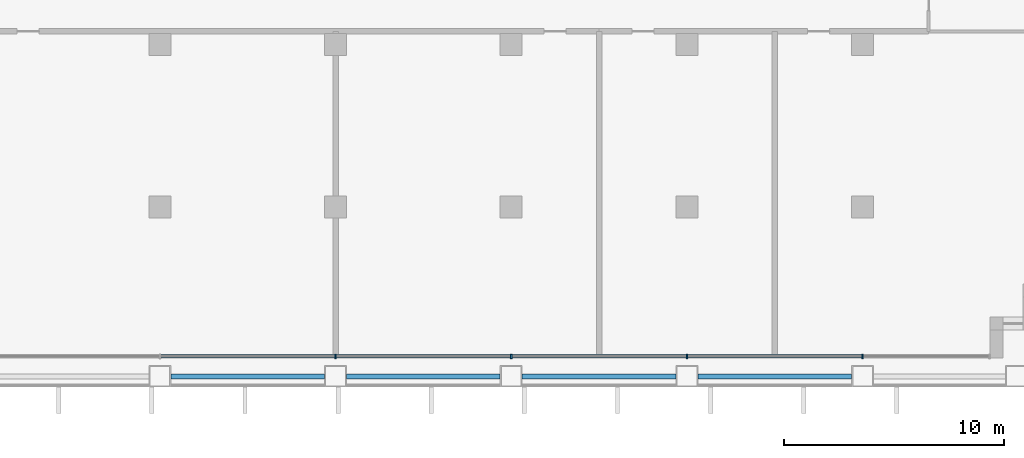
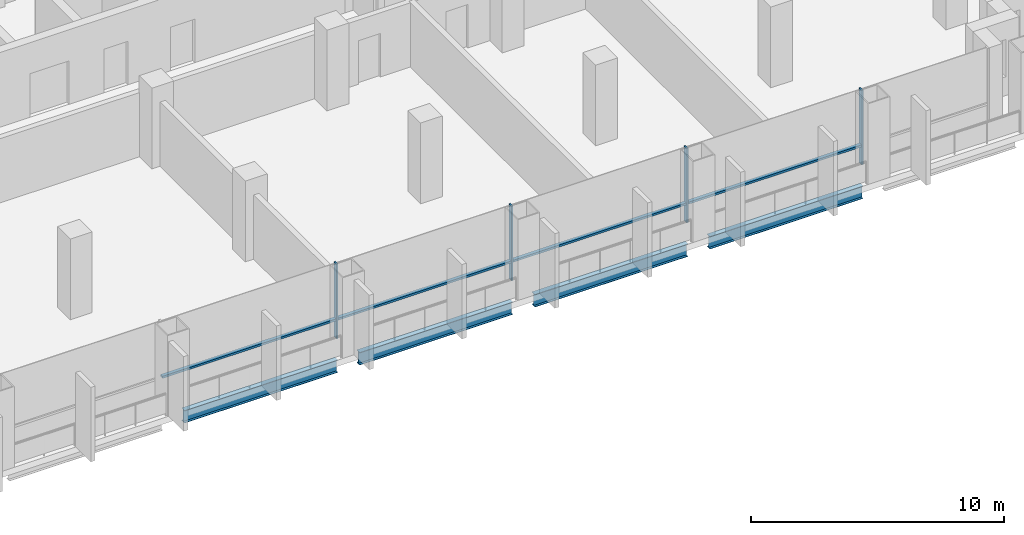
# One storey, part 3 of 13: 8 members, 4 beams, 1 element without a shape of its own.
"""IFC4 building model written with IfcOpenShell, lengths in metres."""

from ifc_helpers import new_model, si_unit, direction, frame, origin, origin_2d, place, context, subcontext, project, spatial, rectangle, i_section, extrude, material, material_profile, profile_set, type_object, element, aggregate, save


model = new_model("IFC4")

# Units and contexts
model_context = context("Model", 3, precision=1e-05, world=origin(), true_north=direction((0.0, 1.0)))
body_context = subcontext(model_context, "Body", "Model", "MODEL_VIEW")
ifc_project = project(units=[si_unit("LENGTHUNIT", "METRE"), si_unit("AREAUNIT", "SQUARE_METRE"), si_unit("VOLUMEUNIT", "CUBIC_METRE"), si_unit("PLANEANGLEUNIT", "RADIAN"), si_unit("MASSUNIT", "GRAM", prefix="KILO")], contexts=[model_context])

# Site, building, storey
site_placement = place(None, origin())
site = spatial("IfcSite", under=ifc_project, at=site_placement, CompositionType="ELEMENT")
building_placement = place(site_placement, origin())
building = spatial("IfcBuilding", under=site, at=building_placement, Name="Vidyagriha Tower", CompositionType="ELEMENT")
storey_placement = place(building_placement, frame((0.0, 0.0, 29.89990234375)))
storey = spatial("IfcBuildingStorey", under=building, at=storey_placement, Name="L07", CompositionType="ELEMENT", Elevation=29.89990234375)

# Beams
ifc_material_1 = material(Name="Steel ASTM A992 Grade 50", Category="steel")
ifc_material_profile_1 = material_profile(ifc_material_1, i_section(OverallWidth=0.228271484375, OverallDepth=0.607177734375, WebThickness=0.01123046875, FlangeThickness=0.017333984375, at=origin_2d()), Name="W24X76")
ifc_profile_set_1 = profile_set([ifc_material_profile_1], Name="Steel ASTM A992 Grade 50")
beam_type = type_object("IfcBeamType", Name="Edge beam W24X76", PredefinedType="SPANDREL", material=ifc_profile_set_1)
for number, where, z_axis, x_axis, name in (
    (1, (-5.5, -17.10009765625, -0.603515625), (1.0, 0.0, 0.0), (0.0, 1.0, 0.0), "st-beam-L07-S05"),
    (2, (2.5, -17.10009765625, -0.603515625), (1.0, 0.0, 0.0), (0.0, 1.0, 0.0), "st-beam-L07-S06"),
    (3, (10.5, -17.10009765625, -0.603515625), (1.0, 0.0, 0.0), (0.0, 1.0, 0.0), "st-beam-L07-S07"),
    (4, (18.5, -17.10009765625, -0.603515625), (1.0, 0.0, 0.0), (0.0, 1.0, 0.0), "st-beam-L07-S08"),
):
    element("IfcBeam", number, at=place(storey_placement, frame(where, z_axis=z_axis, x_axis=x_axis)), inside=storey, type_object=beam_type, Name=name, PredefinedType="SPANDREL", context=body_context, shape_type="SweptSolid", body=[
        extrude(i_section(OverallWidth=0.228271484375, OverallDepth=0.607177734375, WebThickness=0.01123046875, FlangeThickness=0.017333984375, at=origin_2d()), origin(), (0.0, 0.0, 1.0), 7.0),
    ])

# Curtain wall, members
ifc_material_2 = material(Name="Aluminium and glass curtain wall", Category="aluminium")
curtain_wall_type = type_object("IfcCurtainWallType", Name="Classroom skin unitised curtain wall", PredefinedType="USERDEFINED", material=ifc_material_2)
curtain_wall_placement = place(storey_placement, origin())
curtain_wall = element("IfcCurtainWall", 5, at=curtain_wall_placement, inside=storey, type_object=curtain_wall_type, Name="CW2 classroom skin", ObjectType="UNITISED", PredefinedType="USERDEFINED")
ifc_material_3 = material(Name="Aluminium black anodised", Category="aluminium")
ifc_material_profile_2 = material_profile(ifc_material_3, rectangle(XDim=0.219970703125, YDim=0.070068359375, at=origin_2d()), Name="Mullion 70x220 black aluminium")
ifc_profile_set_2 = profile_set([ifc_material_profile_2], Name="Aluminium black anodised")
member_type_1 = type_object("IfcMemberType", Name="Mullion 70x220 black aluminium", PredefinedType="MULLION", material=ifc_profile_set_2)
member_1_placement = place(storey_placement, frame((2.0, -16.199951171875, 0.0), z_axis=(0.0, 0.0, 1.0), x_axis=(0.0, 1.0, 0.0)))
member_1 = element("IfcMember", 6, at=member_1_placement, type_object=member_type_1, Name="CW2 mullion 6", PredefinedType="MULLION", context=body_context, shape_type="SweptSolid", body=[
    extrude(rectangle(XDim=0.219970703125, YDim=0.070068359375, at=origin_2d()), origin(), (0.0, 0.0, 1.0), 3.60009765625),
])
member_2_placement = place(storey_placement, frame((10.0, -16.199951171875, 0.0), z_axis=(0.0, 0.0, 1.0), x_axis=(0.0, 1.0, 0.0)))
member_2 = element("IfcMember", 7, at=member_2_placement, type_object=member_type_1, Name="CW2 mullion 7", PredefinedType="MULLION", context=body_context, shape_type="SweptSolid", body=[
    extrude(rectangle(XDim=0.219970703125, YDim=0.070068359375, at=origin_2d()), origin(), (0.0, 0.0, 1.0), 3.60009765625),
])
member_3_placement = place(storey_placement, frame((18.0, -16.199951171875, 0.0), z_axis=(0.0, 0.0, 1.0), x_axis=(0.0, 1.0, 0.0)))
member_3 = element("IfcMember", 8, at=member_3_placement, type_object=member_type_1, Name="CW2 mullion 8", PredefinedType="MULLION", context=body_context, shape_type="SweptSolid", body=[
    extrude(rectangle(XDim=0.219970703125, YDim=0.070068359375, at=origin_2d()), origin(), (0.0, 0.0, 1.0), 3.60009765625),
])
member_4_placement = place(storey_placement, frame((26.0, -16.199951171875, 0.0), z_axis=(0.0, 0.0, 1.0), x_axis=(0.0, 1.0, 0.0)))
member_4 = element("IfcMember", 9, at=member_4_placement, type_object=member_type_1, Name="CW2 mullion 9", PredefinedType="MULLION", context=body_context, shape_type="SweptSolid", body=[
    extrude(rectangle(XDim=0.219970703125, YDim=0.070068359375, at=origin_2d()), origin(), (0.0, 0.0, 1.0), 3.60009765625),
])
ifc_material_4 = material(Name="Aluminium black anodised", Category="aluminium")
ifc_material_profile_3 = material_profile(ifc_material_4, rectangle(XDim=0.159912109375, YDim=0.10009765625, at=origin_2d()), Name="Transom 100x160 black aluminium")
ifc_profile_set_3 = profile_set([ifc_material_profile_3], Name="Aluminium black anodised")
member_type_2 = type_object("IfcMemberType", Name="Transom 100x160 black aluminium", PredefinedType="USERDEFINED", material=ifc_profile_set_3)
member_5_placement = place(storey_placement, frame((-5.965087890625, -16.199951171875, 0.900146484375), z_axis=(1.0, 0.0, 0.0), x_axis=(0.0, 1.0, 0.0)))
member_5 = element("IfcMember", 10, at=member_5_placement, type_object=member_type_2, Name="CW2 transom 5.1", ObjectType="TRANSOM", PredefinedType="USERDEFINED", context=body_context, shape_type="SweptSolid", body=[
    extrude(rectangle(XDim=0.159912109375, YDim=0.10009765625, at=origin_2d()), origin(), (0.0, 0.0, 1.0), 7.93017578125),
])
member_6_placement = place(storey_placement, frame((2.034912109375, -16.199951171875, 0.900146484375), z_axis=(1.0, 0.0, 0.0), x_axis=(0.0, 1.0, 0.0)))
member_6 = element("IfcMember", 11, at=member_6_placement, type_object=member_type_2, Name="CW2 transom 6.1", ObjectType="TRANSOM", PredefinedType="USERDEFINED", context=body_context, shape_type="SweptSolid", body=[
    extrude(rectangle(XDim=0.159912109375, YDim=0.10009765625, at=origin_2d()), origin(), (0.0, 0.0, 1.0), 7.93017578125),
])
member_7_placement = place(storey_placement, frame((10.034912109375, -16.199951171875, 0.900146484375), z_axis=(1.0, 0.0, 0.0), x_axis=(0.0, 1.0, 0.0)))
member_7 = element("IfcMember", 12, at=member_7_placement, type_object=member_type_2, Name="CW2 transom 7.1", ObjectType="TRANSOM", PredefinedType="USERDEFINED", context=body_context, shape_type="SweptSolid", body=[
    extrude(rectangle(XDim=0.159912109375, YDim=0.10009765625, at=origin_2d()), origin(), (0.0, 0.0, 1.0), 7.93017578125),
])
member_8_placement = place(storey_placement, frame((18.034912109375, -16.199951171875, 0.900146484375), z_axis=(1.0, 0.0, 0.0), x_axis=(0.0, 1.0, 0.0)))
member_8 = element("IfcMember", 13, at=member_8_placement, type_object=member_type_2, Name="CW2 transom 8.1", ObjectType="TRANSOM", PredefinedType="USERDEFINED", context=body_context, shape_type="SweptSolid", body=[
    extrude(rectangle(XDim=0.159912109375, YDim=0.10009765625, at=origin_2d()), origin(), (0.0, 0.0, 1.0), 7.93017578125),
])
aggregate(curtain_wall, [member_1, member_2, member_3, member_4, member_5, member_6, member_7, member_8])

save(model, "model.ifc")
